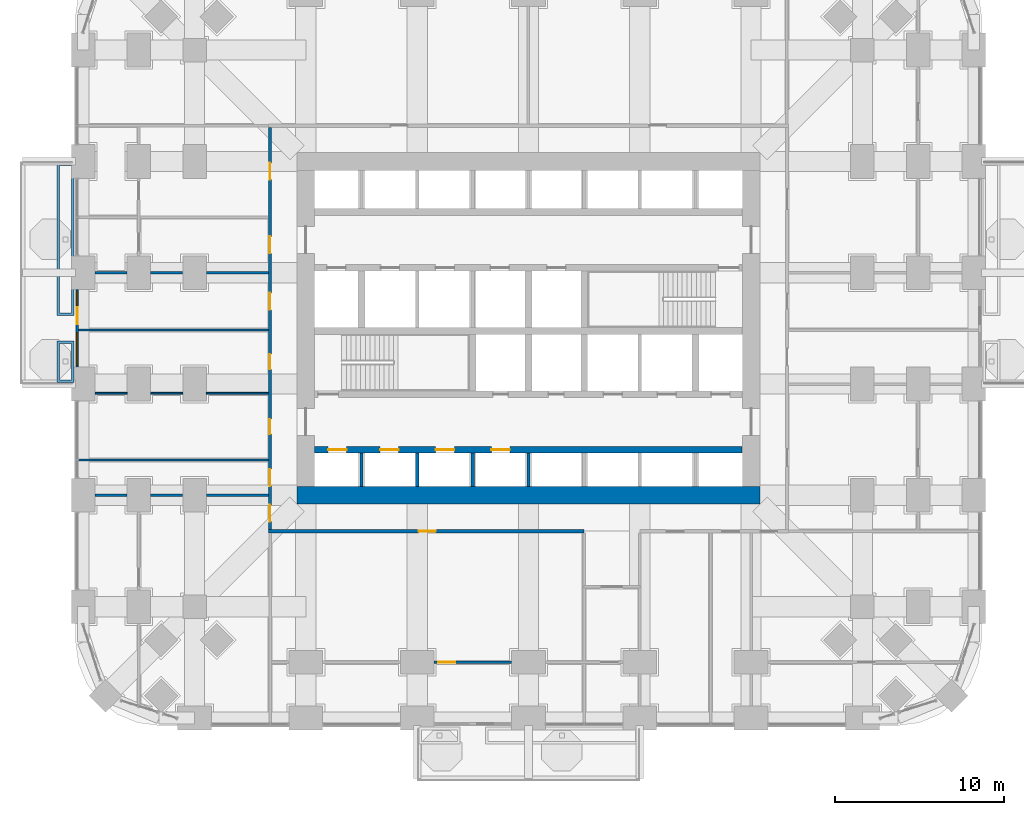
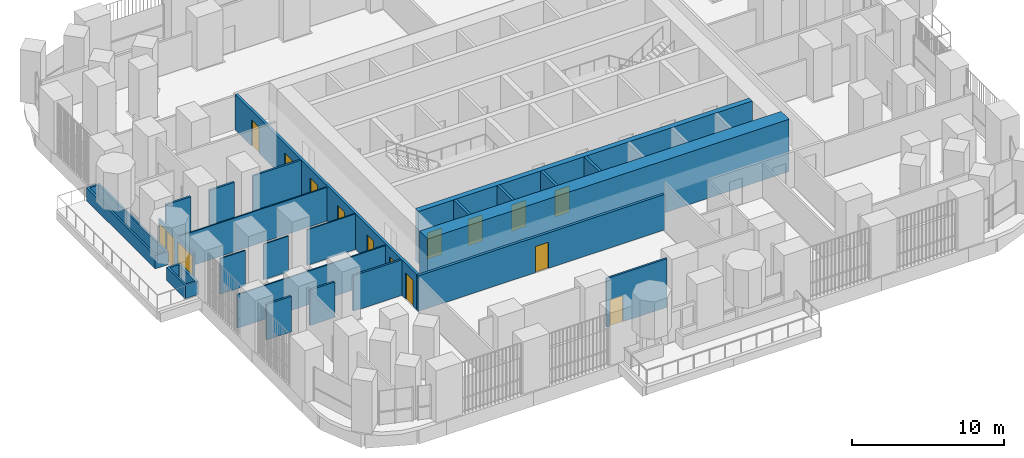
# One storey, part 16 of 24: 23 walls, 14 doors, 2 windows, 16 openings.
"""IFC4 building model written with IfcOpenShell, lengths in metres."""

from ifc_helpers import new_model, si_unit, direction, frame, frame_2d, origin, place, context, subcontext, project, spatial, polyline, rectangle, outline, extrude, material, layer, layer_set, type_object, element, fill, save


model = new_model("IFC4")

# Units and contexts
model_context = context("Model", 3, precision=1e-05, world=origin(), true_north=direction((0.0, 1.0)))
body_context = subcontext(model_context, "Body", "Model", "MODEL_VIEW")
ifc_project = project(units=[si_unit("LENGTHUNIT", "METRE"), si_unit("AREAUNIT", "SQUARE_METRE"), si_unit("VOLUMEUNIT", "CUBIC_METRE"), si_unit("PLANEANGLEUNIT", "RADIAN"), si_unit("MASSUNIT", "GRAM", prefix="KILO")], contexts=[model_context])

# Site, building, storey
site_placement = place(None, origin())
site = spatial("IfcSite", under=ifc_project, at=site_placement, CompositionType="ELEMENT")
building_placement = place(site_placement, origin())
building = spatial("IfcBuilding", under=site, at=building_placement, Name="Cobogo Forest Laboratory Tower", CompositionType="ELEMENT")
storey_placement = place(building_placement, frame((0.0, 0.0, 17.10009765625)))
storey = spatial("IfcBuildingStorey", under=building, at=storey_placement, Name="L03", CompositionType="ELEMENT", Elevation=17.10009765625)

# Wall, openings, doors
ifc_material_1 = material(Name="Concrete HA-50 (C50/60)", Category="concrete")
ifc_layer_1 = layer(ifc_material_1, 0.39990234375)
ifc_layer_set_1 = layer_set([ifc_layer_1], Name="CI400 core inner wall 400")
wall_type_1 = type_object("IfcWallType", Name="CI400 core inner wall 400", PredefinedType="SHEAR", material=ifc_layer_set_1)
wall_1_placement = place(storey_placement, frame((13.72509765625, 15.89990234375, 0.0), z_axis=(0.0, 0.0, 1.0), x_axis=(1.0, 0.0, 0.0)))
wall_1 = element("IfcWall", 1, at=wall_1_placement, inside=storey, type_object=wall_type_1, Name="Core wall CI-15.9 L03", PredefinedType="SHEAR", context=body_context, shape_type="SweptSolid", body=[
    extrude(rectangle(XDim=25.349853515625, YDim=0.39990234375, at=frame_2d((12.6748046875, 0.0))), origin(), (0.0, 0.0, 1.0), 4.199951171875),
])
opening_1_placement = place(wall_1_placement, frame((0.78759765625, 0.0, 0.0)))
opening_1 = element("IfcOpeningElement", 2, at=opening_1_placement, cuts=wall_1, Name="Opening L03-LD-LA1", PredefinedType="OPENING", context=body_context, shape_type="SweptSolid", body=[
    extrude(rectangle(XDim=1.10009765625, YDim=2.10009765625, at=frame_2d((0.550048828125, 1.050048828125))), frame((0.0, 0.2099609375, 0.0), z_axis=(0.0, -1.0, 0.0), x_axis=(1.0, 0.0, 0.0)), (0.0, 0.0, 1.0), 0.419921875),
])
opening_2_placement = place(wall_1_placement, frame((3.875, 0.0, 0.0)))
opening_2 = element("IfcOpeningElement", 3, at=opening_2_placement, cuts=wall_1, Name="Opening L03-LD-LA2", PredefinedType="OPENING", context=body_context, shape_type="SweptSolid", body=[
    extrude(rectangle(XDim=1.10009765625, YDim=2.10009765625, at=frame_2d((0.550048828125, 1.050048828125))), frame((0.0, 0.2099609375, 0.0), z_axis=(0.0, -1.0, 0.0), x_axis=(1.0, 0.0, 0.0)), (0.0, 0.0, 1.0), 0.419921875),
])
opening_3_placement = place(wall_1_placement, frame((7.175048828125, 0.0, 0.0)))
opening_3 = element("IfcOpeningElement", 4, at=opening_3_placement, cuts=wall_1, Name="Opening L03-LD-LA3", PredefinedType="OPENING", context=body_context, shape_type="SweptSolid", body=[
    extrude(rectangle(XDim=1.10009765625, YDim=2.10009765625, at=frame_2d((0.550048828125, 1.050048828125))), frame((0.0, 0.2099609375, 0.0), z_axis=(0.0, -1.0, 0.0), x_axis=(1.0, 0.0, 0.0)), (0.0, 0.0, 1.0), 0.419921875),
])
opening_4_placement = place(wall_1_placement, frame((10.47509765625, 0.0, 0.0)))
opening_4 = element("IfcOpeningElement", 5, at=opening_4_placement, cuts=wall_1, Name="Opening L03-LD-LA4", PredefinedType="OPENING", context=body_context, shape_type="SweptSolid", body=[
    extrude(rectangle(XDim=1.10009765625, YDim=2.10009765625, at=frame_2d((0.550048828125, 1.050048828125))), frame((0.0, 0.2099609375, 0.0), z_axis=(0.0, -1.0, 0.0), x_axis=(1.0, 0.0, 0.0)), (0.0, 0.0, 1.0), 0.419921875),
])
ifc_material_2 = material(Name="Stainless steel lift door", Category="steel")
door_type_1 = type_object("IfcDoorType", Name="LD lift landing door 1100", OperationType="DOUBLE_DOOR_SLIDING", PredefinedType="DOOR", material=ifc_material_2)
door_1_placement = place(opening_1_placement, origin())
door_1 = element("IfcDoor", 6, at=door_1_placement, inside=storey, type_object=door_type_1, Name="Lift landing door LA1 L03", OperationType="DOUBLE_DOOR_SLIDING", OverallHeight=2.10009765625, OverallWidth=1.10009765625, PredefinedType="DOOR", context=body_context, shape_type="SweptSolid", body=[
    extrude(rectangle(XDim=1.10009765625, YDim=2.10009765625, at=frame_2d((0.550048828125, 1.050048828125))), frame((0.0, 0.02490234375, 0.0), z_axis=(0.0, -1.0, 0.0), x_axis=(1.0, 0.0, 0.0)), (0.0, 0.0, 1.0), 0.050048828125),
])
fill(opening_1, door_1)
door_2_placement = place(opening_2_placement, origin())
door_2 = element("IfcDoor", 7, at=door_2_placement, inside=storey, type_object=door_type_1, Name="Lift landing door LA2 L03", OperationType="DOUBLE_DOOR_SLIDING", OverallHeight=2.10009765625, OverallWidth=1.10009765625, PredefinedType="DOOR", context=body_context, shape_type="SweptSolid", body=[
    extrude(rectangle(XDim=1.10009765625, YDim=2.10009765625, at=frame_2d((0.550048828125, 1.050048828125))), frame((0.0, 0.02490234375, 0.0), z_axis=(0.0, -1.0, 0.0), x_axis=(1.0, 0.0, 0.0)), (0.0, 0.0, 1.0), 0.050048828125),
])
fill(opening_2, door_2)
door_3_placement = place(opening_3_placement, origin())
door_3 = element("IfcDoor", 8, at=door_3_placement, inside=storey, type_object=door_type_1, Name="Lift landing door LA3 L03", OperationType="DOUBLE_DOOR_SLIDING", OverallHeight=2.10009765625, OverallWidth=1.10009765625, PredefinedType="DOOR", context=body_context, shape_type="SweptSolid", body=[
    extrude(rectangle(XDim=1.10009765625, YDim=2.10009765625, at=frame_2d((0.550048828125, 1.050048828125))), frame((0.0, 0.02490234375, 0.0), z_axis=(0.0, -1.0, 0.0), x_axis=(1.0, 0.0, 0.0)), (0.0, 0.0, 1.0), 0.050048828125),
])
fill(opening_3, door_3)
door_4_placement = place(opening_4_placement, origin())
door_4 = element("IfcDoor", 9, at=door_4_placement, inside=storey, type_object=door_type_1, Name="Lift landing door LA4 L03", OperationType="DOUBLE_DOOR_SLIDING", OverallHeight=2.10009765625, OverallWidth=1.10009765625, PredefinedType="DOOR", context=body_context, shape_type="SweptSolid", body=[
    extrude(rectangle(XDim=1.10009765625, YDim=2.10009765625, at=frame_2d((0.550048828125, 1.050048828125))), frame((0.0, 0.02490234375, 0.0), z_axis=(0.0, -1.0, 0.0), x_axis=(1.0, 0.0, 0.0)), (0.0, 0.0, 1.0), 0.050048828125),
])
fill(opening_4, door_4)

# Wall
ifc_layer_2 = layer(ifc_material_1, 1.050048828125)
ifc_layer_set_2 = layer_set([ifc_layer_2], Name="CW1050 core outer wall 1050")
wall_type_2 = type_object("IfcWallType", Name="CW1050 core outer wall 1050", PredefinedType="SHEAR", material=ifc_layer_set_2)
wall_2_placement = place(storey_placement, frame((12.675048828125, 13.199951171875, 0.0), z_axis=(0.0, 0.0, 1.0), x_axis=(1.0, 0.0, 0.0)))
element("IfcWall", 10, at=wall_2_placement, inside=storey, type_object=wall_type_2, Name="Core wall CO-S L03", PredefinedType="SHEAR", context=body_context, shape_type="SweptSolid", body=[
    extrude(rectangle(XDim=27.449951171875, YDim=1.050048828125, at=frame_2d((13.72509765625, 0.0))), origin(), (0.0, 0.0, 1.0), 4.199951171875),
])

# Wall, openings, door, windows
ifc_material_3 = material(Name="Aluminium framed glazed screen", Category="aluminium")
ifc_layer_3 = layer(ifc_material_3, 0.14990234375)
ifc_layer_set_3 = layer_set([ifc_layer_3], Name="GS1 glazed door screen 150")
wall_type_3 = type_object("IfcWallType", Name="GS1 glazed door screen 150", PredefinedType="SOLIDWALL", material=ifc_layer_set_3)
wall_3_placement = place(storey_placement, frame((-0.35009765625, 25.39990234375, 0.0), z_axis=(0.0, 0.0, 1.0), x_axis=(0.0, -1.0, 0.0)))
wall_3 = element("IfcWall", 11, at=wall_3_placement, inside=storey, type_object=wall_type_3, Name="Door screen BAL-W1 L03", PredefinedType="SOLIDWALL", context=body_context, shape_type="SweptSolid", body=[
    extrude(rectangle(XDim=4.599853515625, YDim=0.14990234375, at=frame_2d((2.2998046875, 0.0))), origin(), (0.0, 0.0, 1.0), 2.699951171875),
])
opening_5_placement = place(wall_3_placement, frame((1.050048828125, 0.0, 0.0)))
opening_5 = element("IfcOpeningElement", 12, at=opening_5_placement, cuts=wall_3, Name="Opening L03-D23", PredefinedType="OPENING", context=body_context, shape_type="SweptSolid", body=[
    extrude(rectangle(XDim=1.0, YDim=2.39990234375, at=frame_2d((0.5, 1.199951171875))), frame((0.0, 0.0849609375, 0.0), z_axis=(0.0, -1.0, 0.0), x_axis=(1.0, 0.0, 0.0)), (0.0, 0.0, 1.0), 0.169921875),
])
opening_6_placement = place(wall_3_placement, frame((0.10009765625, 0.0, 0.10009765625)))
opening_6 = element("IfcOpeningElement", 13, at=opening_6_placement, cuts=wall_3, Name="Opening L03-W05", PredefinedType="OPENING", context=body_context, shape_type="SweptSolid", body=[
    extrude(rectangle(XDim=0.85009765625, YDim=2.300048828125, at=frame_2d((0.425048828125, 1.14990234375))), frame((0.0, 0.0849609375, 0.0), z_axis=(0.0, -1.0, 0.0), x_axis=(1.0, 0.0, 0.0)), (0.0, 0.0, 1.0), 0.169921875),
])
opening_7_placement = place(wall_3_placement, frame((2.550048828125, 0.0, 0.10009765625)))
opening_7 = element("IfcOpeningElement", 14, at=opening_7_placement, cuts=wall_3, Name="Opening L03-W03", PredefinedType="OPENING", context=body_context, shape_type="SweptSolid", body=[
    extrude(rectangle(XDim=1.949951171875, YDim=2.300048828125, at=frame_2d((0.97509765625, 1.14990234375))), frame((0.0, 0.0849609375, 0.0), z_axis=(0.0, -1.0, 0.0), x_axis=(1.0, 0.0, 0.0)), (0.0, 0.0, 1.0), 0.169921875),
])
ifc_material_4 = material(Name="Aluminium glazed door", Category="aluminium")
door_type_2 = type_object("IfcDoorType", Name="DB1 balcony door 1000 glazed", OperationType="SINGLE_SWING_LEFT", PredefinedType="DOOR", material=ifc_material_4)
door_5_placement = place(opening_5_placement, origin())
door_5 = element("IfcDoor", 15, at=door_5_placement, inside=storey, type_object=door_type_2, Name="Door L03-BAL-W1", OperationType="SINGLE_SWING_LEFT", OverallHeight=2.39990234375, OverallWidth=1.0, PredefinedType="DOOR", context=body_context, shape_type="SweptSolid", body=[
    extrude(rectangle(XDim=1.0, YDim=2.39990234375, at=frame_2d((0.5, 1.199951171875))), frame((0.0, 0.02490234375, 0.0), z_axis=(0.0, -1.0, 0.0), x_axis=(1.0, 0.0, 0.0)), (0.0, 0.0, 1.0), 0.050048828125),
])
fill(opening_5, door_5)
ifc_material_5 = material(Name="Aluminium framed glazing", Category="aluminium")
window_type_1 = type_object("IfcWindowType", Name="WG1 fixed glazed light 1950x2300", PartitioningType="SINGLE_PANEL", PredefinedType="WINDOW", material=ifc_material_5)
window_1_placement = place(opening_7_placement, origin())
window_1 = element("IfcWindow", 16, at=window_1_placement, inside=storey, type_object=window_type_1, Name="Window L03-BAL-W1-2", OverallHeight=2.300048828125, OverallWidth=1.949951171875, PartitioningType="SINGLE_PANEL", PredefinedType="WINDOW", context=body_context, shape_type="SweptSolid", body=[
    extrude(rectangle(XDim=1.949951171875, YDim=2.300048828125, at=frame_2d((0.97509765625, 1.14990234375))), frame((0.0, 0.030029296875, 0.0), z_axis=(0.0, -1.0, 0.0), x_axis=(1.0, 0.0, 0.0)), (0.0, 0.0, 1.0), 0.06005859375),
])
fill(opening_7, window_1)
window_type_2 = type_object("IfcWindowType", Name="WG2 fixed glazed light 850x2300", PartitioningType="SINGLE_PANEL", PredefinedType="WINDOW", material=ifc_material_5)
window_2_placement = place(opening_6_placement, origin())
window_2 = element("IfcWindow", 17, at=window_2_placement, inside=storey, type_object=window_type_2, Name="Window L03-BAL-W1-1", OverallHeight=2.300048828125, OverallWidth=0.85009765625, PartitioningType="SINGLE_PANEL", PredefinedType="WINDOW", context=body_context, shape_type="SweptSolid", body=[
    extrude(rectangle(XDim=0.85009765625, YDim=2.300048828125, at=frame_2d((0.425048828125, 1.14990234375))), frame((0.0, 0.030029296875, 0.0), z_axis=(0.0, -1.0, 0.0), x_axis=(1.0, 0.0, 0.0)), (0.0, 0.0, 1.0), 0.06005859375),
])
fill(opening_6, window_2)

# Wall, opening, door
ifc_material_6 = material(Name="Gypsum board on steel studs", Category="steel")
ifc_layer_4 = layer(ifc_material_6, 0.14990234375)
ifc_layer_set_4 = layer_set([ifc_layer_4], Name="PT1 laboratory partition 150")
wall_type_4 = type_object("IfcWallType", Name="PT1 laboratory partition 150", PredefinedType="PARTITIONING", material=ifc_layer_set_4)
wall_4_placement = place(storey_placement, frame((20.800048828125, 3.300048828125, 0.0), z_axis=(0.0, 0.0, 1.0), x_axis=(1.0, 0.0, 0.0)))
wall_4 = element("IfcWall", 18, at=wall_4_placement, inside=storey, type_object=wall_type_4, Name="Partition STRIP-S-3 L03", PredefinedType="PARTITIONING", context=body_context, shape_type="SweptSolid", body=[
    extrude(rectangle(XDim=4.599853515625, YDim=0.14990234375, at=frame_2d((2.2998046875, 0.0))), origin(), (0.0, 0.0, 1.0), 3.89990234375),
])
opening_8_placement = place(wall_4_placement, frame((0.25, 0.0, 0.0)))
opening_8 = element("IfcOpeningElement", 19, at=opening_8_placement, cuts=wall_4, Name="Opening L03-D02", PredefinedType="OPENING", context=body_context, shape_type="SweptSolid", body=[
    extrude(rectangle(XDim=1.0, YDim=2.10009765625, at=frame_2d((0.5, 1.050048828125))), frame((0.0, 0.0849609375, 0.0), z_axis=(0.0, -1.0, 0.0), x_axis=(1.0, 0.0, 0.0)), (0.0, 0.0, 1.0), 0.169921875),
])
ifc_material_7 = material(Name="Timber fire door", Category="wood")
door_type_3 = type_object("IfcDoorType", Name="FD2 fire door 1000 EI2 30", OperationType="SINGLE_SWING_LEFT", PredefinedType="DOOR", material=ifc_material_7)
door_6_placement = place(opening_8_placement, origin())
door_6 = element("IfcDoor", 20, at=door_6_placement, inside=storey, type_object=door_type_3, Name="Door L03-S1W", OperationType="SINGLE_SWING_LEFT", OverallHeight=2.10009765625, OverallWidth=1.0, PredefinedType="DOOR", context=body_context, shape_type="SweptSolid", body=[
    extrude(rectangle(XDim=1.0, YDim=2.10009765625, at=frame_2d((0.5, 1.050048828125))), frame((0.0, 0.02490234375, 0.0), z_axis=(0.0, -1.0, 0.0), x_axis=(1.0, 0.0, 0.0)), (0.0, 0.0, 1.0), 0.050048828125),
])
fill(opening_8, door_6)

# Walls
wall_5_placement = place(storey_placement, frame((0.699951171875, 13.199951171875, 0.0), z_axis=(0.0, 0.0, 1.0), x_axis=(1.0, 0.0, 0.0)))
element("IfcWall", 21, at=wall_5_placement, inside=storey, type_object=wall_type_4, Name="Partition CUT-W13.2-1 L03", PredefinedType="PARTITIONING", context=body_context, shape_type="SweptSolid", body=[
    extrude(rectangle(XDim=1.900146484375, YDim=0.14990234375, at=frame_2d((0.9501953125, 0.0))), origin(), (0.0, 0.0, 1.0), 2.849853515625),
])
wall_6_placement = place(storey_placement, frame((4.0, 13.199951171875, 0.0), z_axis=(0.0, 0.0, 1.0), x_axis=(1.0, 0.0, 0.0)))
element("IfcWall", 22, at=wall_6_placement, inside=storey, type_object=wall_type_4, Name="Partition CUT-W13.2-2 L03", PredefinedType="PARTITIONING", context=body_context, shape_type="SweptSolid", body=[
    extrude(rectangle(XDim=1.89990234375, YDim=0.14990234375, at=frame_2d((0.949951171875, 0.0))), origin(), (0.0, 0.0, 1.0), 2.849853515625),
])
wall_7_placement = place(storey_placement, frame((7.300048828125, 13.199951171875, 0.0), z_axis=(0.0, 0.0, 1.0), x_axis=(1.0, 0.0, 0.0)))
element("IfcWall", 23, at=wall_7_placement, inside=storey, type_object=wall_type_4, Name="Partition CUT-W13.2-3 L03", PredefinedType="PARTITIONING", context=body_context, shape_type="SweptSolid", body=[
    extrude(rectangle(XDim=3.675048828125, YDim=0.14990234375, at=frame_2d((1.83740234375, 0.0))), origin(), (0.0, 0.0, 1.0), 2.849853515625),
])
wall_8_placement = place(storey_placement, frame((0.699951171875, 26.39990234375, 0.0), z_axis=(0.0, 0.0, 1.0), x_axis=(1.0, 0.0, 0.0)))
element("IfcWall", 24, at=wall_8_placement, inside=storey, type_object=wall_type_4, Name="Partition CUT-W26.4-1 L03", PredefinedType="PARTITIONING", context=body_context, shape_type="SweptSolid", body=[
    extrude(rectangle(XDim=1.900146484375, YDim=0.14990234375, at=frame_2d((0.9501953125, 0.0))), origin(), (0.0, 0.0, 1.0), 2.849853515625),
])
wall_9_placement = place(storey_placement, frame((4.0, 26.39990234375, 0.0), z_axis=(0.0, 0.0, 1.0), x_axis=(1.0, 0.0, 0.0)))
element("IfcWall", 25, at=wall_9_placement, inside=storey, type_object=wall_type_4, Name="Partition CUT-W26.4-2 L03", PredefinedType="PARTITIONING", context=body_context, shape_type="SweptSolid", body=[
    extrude(rectangle(XDim=1.89990234375, YDim=0.14990234375, at=frame_2d((0.949951171875, 0.0))), origin(), (0.0, 0.0, 1.0), 2.849853515625),
])
wall_10_placement = place(storey_placement, frame((7.300048828125, 26.39990234375, 0.0), z_axis=(0.0, 0.0, 1.0), x_axis=(1.0, 0.0, 0.0)))
element("IfcWall", 26, at=wall_10_placement, inside=storey, type_object=wall_type_4, Name="Partition CUT-W26.4-3 L03", PredefinedType="PARTITIONING", context=body_context, shape_type="SweptSolid", body=[
    extrude(rectangle(XDim=3.675048828125, YDim=0.14990234375, at=frame_2d((1.83740234375, 0.0))), origin(), (0.0, 0.0, 1.0), 2.849853515625),
])

# Wall, opening, door
ifc_layer_5 = layer(ifc_material_6, 0.199951171875)
ifc_layer_set_5 = layer_set([ifc_layer_5], Name="PT2 fire-rated corridor partition 200")
wall_type_5 = type_object("IfcWallType", Name="PT2 fire-rated corridor partition 200", PredefinedType="PARTITIONING", material=ifc_layer_set_5)
wall_11_placement = place(storey_placement, frame((10.97509765625, 11.074951171875, 0.0), z_axis=(0.0, 0.0, 1.0), x_axis=(1.0, 0.0, 0.0)))
wall_11 = element("IfcWall", 27, at=wall_11_placement, inside=storey, type_object=wall_type_5, Name="Partition CORR-S-1 L03", PredefinedType="PARTITIONING", context=body_context, shape_type="SweptSolid", body=[
    extrude(rectangle(XDim=18.724853515625, YDim=0.199951171875, at=frame_2d((9.3623046875, 0.0))), origin(), (0.0, 0.0, 1.0), 2.849853515625),
])
opening_9_placement = place(wall_11_placement, frame((8.91259765625, 0.0, 0.0)))
opening_9 = element("IfcOpeningElement", 28, at=opening_9_placement, cuts=wall_11, Name="Opening L03-D07", PredefinedType="OPENING", context=body_context, shape_type="SweptSolid", body=[
    extrude(rectangle(XDim=1.0, YDim=2.10009765625, at=frame_2d((0.5, 1.050048828125))), frame((0.0, 0.10986328125, 0.0), z_axis=(0.0, -1.0, 0.0), x_axis=(1.0, 0.0, 0.0)), (0.0, 0.0, 1.0), 0.219970703125),
])
door_7_placement = place(opening_9_placement, origin())
door_7 = element("IfcDoor", 29, at=door_7_placement, inside=storey, type_object=door_type_3, Name="Door L03-S1", OperationType="SINGLE_SWING_RIGHT", OverallHeight=2.10009765625, OverallWidth=1.0, PredefinedType="DOOR", context=body_context, shape_type="SweptSolid", body=[
    extrude(rectangle(XDim=1.0, YDim=2.10009765625, at=frame_2d((0.5, 1.050048828125))), frame((0.0, 0.02490234375, 0.0), z_axis=(0.0, -1.0, 0.0), x_axis=(1.0, 0.0, 0.0)), (0.0, 0.0, 1.0), 0.050048828125),
])
fill(opening_9, door_7)

# Wall, openings, doors
wall_12_placement = place(storey_placement, frame((11.074951171875, 11.175048828125, 0.0), z_axis=(0.0, 0.0, 1.0), x_axis=(0.0, 1.0, 0.0)))
wall_12 = element("IfcWall", 30, at=wall_12_placement, inside=storey, type_object=wall_type_5, Name="Partition CORR-W L03", PredefinedType="PARTITIONING", context=body_context, shape_type="SweptSolid", body=[
    extrude(rectangle(XDim=23.849853515625, YDim=0.199951171875, at=frame_2d((11.9248046875, 0.0))), origin(), (0.0, 0.0, 1.0), 2.849853515625),
])
opening_10_placement = place(wall_12_placement, frame((0.46240234375, 0.0, 0.0)))
opening_10 = element("IfcOpeningElement", 31, at=opening_10_placement, cuts=wall_12, Name="Opening L03-D11", PredefinedType="OPENING", context=body_context, shape_type="SweptSolid", body=[
    extrude(rectangle(XDim=1.0, YDim=2.10009765625, at=frame_2d((0.5, 1.050048828125))), frame((0.0, 0.10986328125, 0.0), z_axis=(0.0, -1.0, 0.0), x_axis=(1.0, 0.0, 0.0)), (0.0, 0.0, 1.0), 0.219970703125),
])
opening_11_placement = place(wall_12_placement, frame((2.574951171875, 0.0, 0.0)))
opening_11 = element("IfcOpeningElement", 32, at=opening_11_placement, cuts=wall_12, Name="Opening L03-D12", PredefinedType="OPENING", context=body_context, shape_type="SweptSolid", body=[
    extrude(rectangle(XDim=1.0, YDim=2.10009765625, at=frame_2d((0.5, 1.050048828125))), frame((0.0, 0.10986328125, 0.0), z_axis=(0.0, -1.0, 0.0), x_axis=(1.0, 0.0, 0.0)), (0.0, 0.0, 1.0), 0.219970703125),
])
opening_12_placement = place(wall_12_placement, frame((5.64990234375, 0.0, 0.0)))
opening_12 = element("IfcOpeningElement", 33, at=opening_12_placement, cuts=wall_12, Name="Opening L03-D15", PredefinedType="OPENING", context=body_context, shape_type="SweptSolid", body=[
    extrude(rectangle(XDim=0.89990234375, YDim=2.10009765625, at=frame_2d((0.449951171875, 1.050048828125))), frame((0.0, 0.10986328125, 0.0), z_axis=(0.0, -1.0, 0.0), x_axis=(1.0, 0.0, 0.0)), (0.0, 0.0, 1.0), 0.219970703125),
])
opening_13_placement = place(wall_12_placement, frame((9.5, 0.0, 0.0)))
opening_13 = element("IfcOpeningElement", 34, at=opening_13_placement, cuts=wall_12, Name="Opening L03-D21", PredefinedType="OPENING", context=body_context, shape_type="SweptSolid", body=[
    extrude(rectangle(XDim=0.89990234375, YDim=2.10009765625, at=frame_2d((0.449951171875, 1.050048828125))), frame((0.0, 0.10986328125, 0.0), z_axis=(0.0, -1.0, 0.0), x_axis=(1.0, 0.0, 0.0)), (0.0, 0.0, 1.0), 0.219970703125),
])
opening_14_placement = place(wall_12_placement, frame((13.02490234375, 0.0, 0.0)))
opening_14 = element("IfcOpeningElement", 35, at=opening_14_placement, cuts=wall_12, Name="Opening L03-D25", PredefinedType="OPENING", context=body_context, shape_type="SweptSolid", body=[
    extrude(rectangle(XDim=1.0, YDim=2.10009765625, at=frame_2d((0.5, 1.050048828125))), frame((0.0, 0.10986328125, 0.0), z_axis=(0.0, -1.0, 0.0), x_axis=(1.0, 0.0, 0.0)), (0.0, 0.0, 1.0), 0.219970703125),
])
opening_15_placement = place(wall_12_placement, frame((16.375, 0.0, 0.0)))
opening_15 = element("IfcOpeningElement", 36, at=opening_15_placement, cuts=wall_12, Name="Opening L03-D28", PredefinedType="OPENING", context=body_context, shape_type="SweptSolid", body=[
    extrude(rectangle(XDim=1.0, YDim=2.10009765625, at=frame_2d((0.5, 1.050048828125))), frame((0.0, 0.10986328125, 0.0), z_axis=(0.0, -1.0, 0.0), x_axis=(1.0, 0.0, 0.0)), (0.0, 0.0, 1.0), 0.219970703125),
])
opening_16_placement = place(wall_12_placement, frame((20.737548828125, 0.0, 0.0)))
opening_16 = element("IfcOpeningElement", 37, at=opening_16_placement, cuts=wall_12, Name="Opening L03-D34", PredefinedType="OPENING", context=body_context, shape_type="SweptSolid", body=[
    extrude(rectangle(XDim=1.0, YDim=2.10009765625, at=frame_2d((0.5, 1.050048828125))), frame((0.0, 0.10986328125, 0.0), z_axis=(0.0, -1.0, 0.0), x_axis=(1.0, 0.0, 0.0)), (0.0, 0.0, 1.0), 0.219970703125),
])
ifc_material_8 = material(Name="Steel fire door", Category="steel")
door_type_4 = type_object("IfcDoorType", Name="FD1 fire door 1000 EI2 60", OperationType="SINGLE_SWING_LEFT", PredefinedType="DOOR", material=ifc_material_8)
door_8_placement = place(opening_16_placement, origin())
door_8 = element("IfcDoor", 38, at=door_8_placement, inside=storey, type_object=door_type_4, Name="Door L03-W4", OperationType="SINGLE_SWING_RIGHT", OverallHeight=2.10009765625, OverallWidth=1.0, PredefinedType="DOOR", context=body_context, shape_type="SweptSolid", body=[
    extrude(rectangle(XDim=1.0, YDim=2.10009765625, at=frame_2d((0.5, 1.050048828125))), frame((0.0, 0.02490234375, 0.0), z_axis=(0.0, -1.0, 0.0), x_axis=(1.0, 0.0, 0.0)), (0.0, 0.0, 1.0), 0.050048828125),
])
fill(opening_16, door_8)
door_9_placement = place(opening_10_placement, origin())
door_9 = element("IfcDoor", 39, at=door_9_placement, inside=storey, type_object=door_type_3, Name="Door L03-W1", OperationType="SINGLE_SWING_LEFT", OverallHeight=2.10009765625, OverallWidth=1.0, PredefinedType="DOOR", context=body_context, shape_type="SweptSolid", body=[
    extrude(rectangle(XDim=1.0, YDim=2.10009765625, at=frame_2d((0.5, 1.050048828125))), frame((0.0, 0.02490234375, 0.0), z_axis=(0.0, -1.0, 0.0), x_axis=(1.0, 0.0, 0.0)), (0.0, 0.0, 1.0), 0.050048828125),
])
fill(opening_10, door_9)
door_10_placement = place(opening_14_placement, origin())
door_10 = element("IfcDoor", 40, at=door_10_placement, inside=storey, type_object=door_type_3, Name="Door L03-SHW", OperationType="SINGLE_SWING_RIGHT", OverallHeight=2.10009765625, OverallWidth=1.0, PredefinedType="DOOR", context=body_context, shape_type="SweptSolid", body=[
    extrude(rectangle(XDim=1.0, YDim=2.10009765625, at=frame_2d((0.5, 1.050048828125))), frame((0.0, 0.02490234375, 0.0), z_axis=(0.0, -1.0, 0.0), x_axis=(1.0, 0.0, 0.0)), (0.0, 0.0, 1.0), 0.050048828125),
])
fill(opening_14, door_10)
door_11_placement = place(opening_15_placement, origin())
door_11 = element("IfcDoor", 41, at=door_11_placement, inside=storey, type_object=door_type_3, Name="Door L03-W3", OperationType="SINGLE_SWING_RIGHT", OverallHeight=2.10009765625, OverallWidth=1.0, PredefinedType="DOOR", context=body_context, shape_type="SweptSolid", body=[
    extrude(rectangle(XDim=1.0, YDim=2.10009765625, at=frame_2d((0.5, 1.050048828125))), frame((0.0, 0.02490234375, 0.0), z_axis=(0.0, -1.0, 0.0), x_axis=(1.0, 0.0, 0.0)), (0.0, 0.0, 1.0), 0.050048828125),
])
fill(opening_15, door_11)
door_type_5 = type_object("IfcDoorType", Name="FD3 toilet fire door 900 EI2 30", OperationType="SINGLE_SWING_LEFT", PredefinedType="DOOR", material=ifc_material_7)
door_12_placement = place(opening_12_placement, origin())
door_12 = element("IfcDoor", 42, at=door_12_placement, inside=storey, type_object=door_type_5, Name="Door L03-WCF", OperationType="SINGLE_SWING_LEFT", OverallHeight=2.10009765625, OverallWidth=0.89990234375, PredefinedType="DOOR", context=body_context, shape_type="SweptSolid", body=[
    extrude(rectangle(XDim=0.89990234375, YDim=2.10009765625, at=frame_2d((0.449951171875, 1.050048828125))), frame((0.0, 0.02490234375, 0.0), z_axis=(0.0, -1.0, 0.0), x_axis=(1.0, 0.0, 0.0)), (0.0, 0.0, 1.0), 0.050048828125),
])
fill(opening_12, door_12)
door_13_placement = place(opening_13_placement, origin())
door_13 = element("IfcDoor", 43, at=door_13_placement, inside=storey, type_object=door_type_5, Name="Door L03-WCM", OperationType="SINGLE_SWING_LEFT", OverallHeight=2.10009765625, OverallWidth=0.89990234375, PredefinedType="DOOR", context=body_context, shape_type="SweptSolid", body=[
    extrude(rectangle(XDim=0.89990234375, YDim=2.10009765625, at=frame_2d((0.449951171875, 1.050048828125))), frame((0.0, 0.02490234375, 0.0), z_axis=(0.0, -1.0, 0.0), x_axis=(1.0, 0.0, 0.0)), (0.0, 0.0, 1.0), 0.050048828125),
])
fill(opening_13, door_13)
door_type_6 = type_object("IfcDoorType", Name="FDA1 accessible toilet fire door 1000 EI2 30", OperationType="SINGLE_SWING_RIGHT", PredefinedType="DOOR", material=ifc_material_7)
door_14_placement = place(opening_11_placement, origin())
door_14 = element("IfcDoor", 44, at=door_14_placement, inside=storey, type_object=door_type_6, Name="Door L03-WCA", OperationType="SINGLE_SWING_LEFT", OverallHeight=2.10009765625, OverallWidth=1.0, PredefinedType="DOOR", context=body_context, shape_type="SweptSolid", body=[
    extrude(rectangle(XDim=1.0, YDim=2.10009765625, at=frame_2d((0.5, 1.050048828125))), frame((0.0, 0.02490234375, 0.0), z_axis=(0.0, -1.0, 0.0), x_axis=(1.0, 0.0, 0.0)), (0.0, 0.0, 1.0), 0.050048828125),
])
fill(opening_11, door_14)

# Walls
ifc_layer_6 = layer(ifc_material_6, 0.10009765625)
ifc_layer_set_6 = layer_set([ifc_layer_6], Name="PT3 toilet partition 100")
wall_type_6 = type_object("IfcWallType", Name="PT3 toilet partition 100", PredefinedType="PARTITIONING", material=ifc_layer_set_6)
wall_13_placement = place(storey_placement, frame((-0.27001953125, 15.300048828125, 0.0), z_axis=(0.0, 0.0, 1.0), x_axis=(1.0, 0.0, 0.0)))
element("IfcWall", 45, at=wall_13_placement, inside=storey, type_object=wall_type_6, Name="Partition SVC-W1-1 L03", PredefinedType="PARTITIONING", context=body_context, shape_type="SweptSolid", body=[
    extrude(rectangle(XDim=11.2451171875, YDim=0.10009765625, at=frame_2d((5.62255859375, 0.0))), origin(), (0.0, 0.0, 1.0), 2.699951171875),
])
wall_14_placement = place(storey_placement, frame((0.699951171875, 19.25, 0.0), z_axis=(0.0, 0.0, 1.0), x_axis=(1.0, 0.0, 0.0)))
element("IfcWall", 46, at=wall_14_placement, inside=storey, type_object=wall_type_6, Name="Partition SVC-W2-1 L03", PredefinedType="PARTITIONING", context=body_context, shape_type="SweptSolid", body=[
    extrude(rectangle(XDim=1.900146484375, YDim=0.10009765625, at=frame_2d((0.9501953125, 0.0))), origin(), (0.0, 0.0, 1.0), 2.849853515625),
])
wall_15_placement = place(storey_placement, frame((4.0, 19.25, 0.0), z_axis=(0.0, 0.0, 1.0), x_axis=(1.0, 0.0, 0.0)))
element("IfcWall", 47, at=wall_15_placement, inside=storey, type_object=wall_type_6, Name="Partition SVC-W2-2 L03", PredefinedType="PARTITIONING", context=body_context, shape_type="SweptSolid", body=[
    extrude(rectangle(XDim=1.89990234375, YDim=0.10009765625, at=frame_2d((0.949951171875, 0.0))), origin(), (0.0, 0.0, 1.0), 2.849853515625),
])
wall_16_placement = place(storey_placement, frame((7.300048828125, 19.25, 0.0), z_axis=(0.0, 0.0, 1.0), x_axis=(1.0, 0.0, 0.0)))
element("IfcWall", 48, at=wall_16_placement, inside=storey, type_object=wall_type_6, Name="Partition SVC-W2-3 L03", PredefinedType="PARTITIONING", context=body_context, shape_type="SweptSolid", body=[
    extrude(rectangle(XDim=3.675048828125, YDim=0.10009765625, at=frame_2d((1.83740234375, 0.0))), origin(), (0.0, 0.0, 1.0), 2.849853515625),
])
wall_17_placement = place(storey_placement, frame((-0.27001953125, 23.0, 0.0), z_axis=(0.0, 0.0, 1.0), x_axis=(1.0, 0.0, 0.0)))
element("IfcWall", 49, at=wall_17_placement, inside=storey, type_object=wall_type_6, Name="Partition SVC-W3-1 L03", PredefinedType="PARTITIONING", context=body_context, shape_type="SweptSolid", body=[
    extrude(rectangle(XDim=11.2451171875, YDim=0.10009765625, at=frame_2d((5.62255859375, 0.0))), origin(), (0.0, 0.0, 1.0), 2.699951171875),
])
ifc_material_9 = material(Name="Concrete HA-40 (C40/50)", Category="concrete")
ifc_layer_7 = layer(ifc_material_9, 0.14990234375)
ifc_layer_set_7 = layer_set([ifc_layer_7], Name="Planter box 1000x1050")
wall_type_7 = type_object("IfcWallType", Name="Planter box 1000x1050", PredefinedType="USERDEFINED", material=ifc_layer_set_7)
wall_18_placement = place(storey_placement, origin())
element("IfcWall", 50, at=wall_18_placement, inside=storey, type_object=wall_type_7, Name="Planter BAL-W1-1 L03", ObjectType="PLANTER", PredefinedType="USERDEFINED", context=body_context, shape_type="SweptSolid", body=[
    extrude(outline(polyline([(-1.550048828125, 19.89990234375), (-0.550048828125, 19.89990234375), (-0.550048828125, 22.35009765625), (-1.550048828125, 22.35009765625), (-1.550048828125, 19.89990234375)]), holes=[polyline([(-1.39990234375, 20.050048828125), (-0.699951171875, 20.050048828125), (-0.699951171875, 22.199951171875), (-1.39990234375, 22.199951171875), (-1.39990234375, 20.050048828125)])]), origin(), (0.0, 0.0, 1.0), 1.0498046875),
])
wall_19_placement = place(storey_placement, origin())
element("IfcWall", 51, at=wall_19_placement, inside=storey, type_object=wall_type_7, Name="Planter BAL-W1-2 L03", ObjectType="PLANTER", PredefinedType="USERDEFINED", context=body_context, shape_type="SweptSolid", body=[
    extrude(outline(polyline([(-1.550048828125, 23.85009765625), (-0.550048828125, 23.85009765625), (-0.550048828125, 32.89990234375), (-1.550048828125, 32.89990234375), (-1.550048828125, 23.85009765625)]), holes=[polyline([(-1.39990234375, 24.0), (-0.699951171875, 24.0), (-0.699951171875, 32.75), (-1.39990234375, 32.75), (-1.39990234375, 24.0)])]), origin(), (0.0, 0.0, 1.0), 1.0498046875),
])
ifc_material_10 = material(Name="Concrete block", Category="concrete")
ifc_layer_8 = layer(ifc_material_10, 0.199951171875)
ifc_layer_set_8 = layer_set([ifc_layer_8], Name="SW200 lift shaft separator 200")
wall_type_8 = type_object("IfcWallType", Name="SW200 lift shaft separator 200", PredefinedType="PARTITIONING", material=ifc_layer_set_8)
for number, where, z_axis, x_axis, name in (
    (52, (16.5, 13.72509765625, 0.0), (0.0, 0.0, 1.0), (0.0, 1.0, 0.0), "Core wall SEP-S1 L03"),
    (53, (19.800048828125, 13.72509765625, 0.0), (0.0, 0.0, 1.0), (0.0, 1.0, 0.0), "Core wall SEP-S2 L03"),
    (54, (23.10009765625, 13.72509765625, 0.0), (0.0, 0.0, 1.0), (0.0, 1.0, 0.0), "Core wall SEP-S3 L03"),
    (55, (26.39990234375, 13.72509765625, 0.0), (0.0, 0.0, 1.0), (0.0, 1.0, 0.0), "Core wall SEP-S4 L03"),
):
    element("IfcWall", number, at=place(storey_placement, frame(where, z_axis=z_axis, x_axis=x_axis)), inside=storey, type_object=wall_type_8, Name=name, PredefinedType="PARTITIONING", context=body_context, shape_type="SweptSolid", body=[
        extrude(rectangle(XDim=1.974853515625, YDim=0.199951171875, at=frame_2d((0.9873046875, 0.0))), origin(), (0.0, 0.0, 1.0), 4.199951171875),
    ])

save(model, "model.ifc")
